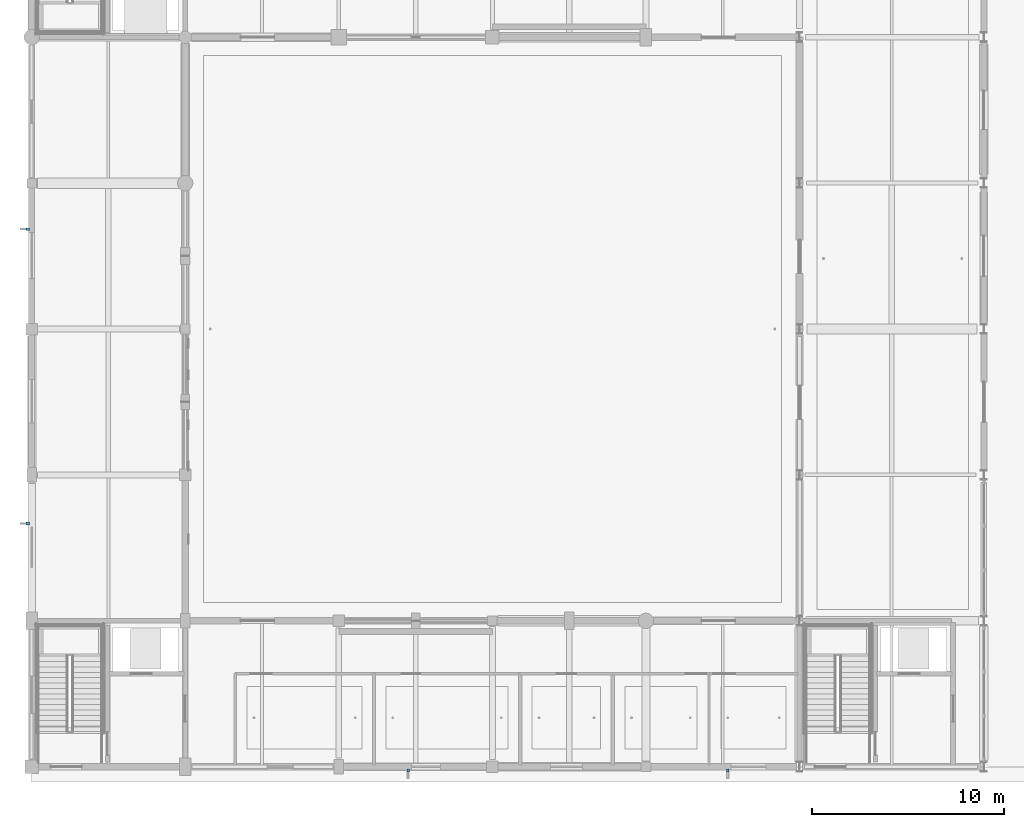
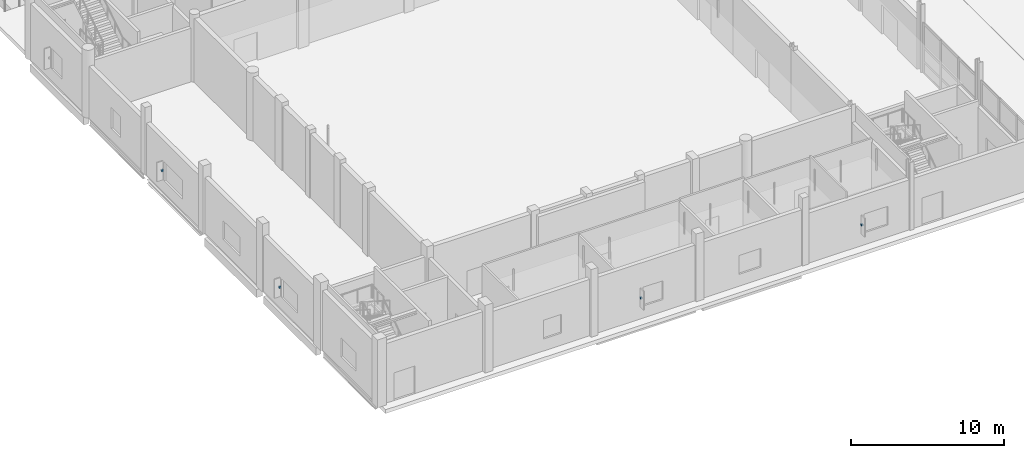
# One storey, part 101 of 126: 4 discrete accessories.
"""IFC4 building model written with IfcOpenShell, lengths in metres."""

from ifc_helpers import new_model, si_unit, direction, frame, origin, origin_2d, place, context, subcontext, project, spatial, rectangle, extrude, material, type_object, element, save


model = new_model("IFC4")

# Units and contexts
model_context = context("Model", 3, precision=1e-05, world=origin(), true_north=direction((0.0, 1.0)))
body_context = subcontext(model_context, "Body", "Model", "MODEL_VIEW")
ifc_project = project(units=[si_unit("LENGTHUNIT", "METRE"), si_unit("AREAUNIT", "SQUARE_METRE"), si_unit("VOLUMEUNIT", "CUBIC_METRE"), si_unit("PLANEANGLEUNIT", "RADIAN"), si_unit("MASSUNIT", "GRAM", prefix="KILO")], contexts=[model_context])

# Site, building, storey
site_placement = place(None, origin())
site = spatial("IfcSite", under=ifc_project, at=site_placement, CompositionType="ELEMENT")
building_placement = place(site_placement, origin())
building = spatial("IfcBuilding", under=site, at=building_placement, Name="Khelvaren Railside Concert Hall", CompositionType="ELEMENT")
storey_placement = place(building_placement, origin())
storey = spatial("IfcBuildingStorey", under=building, at=storey_placement, Name="L00", CompositionType="ELEMENT", Elevation=0.0)

# Discrete accessories
ifc_material = material(Name="Architectural stainless steel Grade 316", Category="steel")
discrete_accessory_type = type_object("IfcDiscreteAccessoryType", Name="BRK87", PredefinedType="BRACKET", material=ifc_material)
for number, where, z_axis, x_axis, name in (
    (1, (19.613525390625, -0.199951171875, 1.6298828125), (0.0, 0.0, 1.0), (-1.0, 0.0, 0.0), "Solar Fin Bracket EW-V1-L00-S-16"),
    (2, (36.260009765625, -0.199951171875, 1.6298828125), (0.0, 0.0, 1.0), (-1.0, 0.0, 0.0), "Solar Fin Bracket EW-V1-L00-S-32"),
    (3, (-0.199951171875, 12.66748046875, 1.6298828125), (0.0, 0.0, 1.0), (0.0, 1.0, 0.0), "Solar Fin Bracket EW-V1-L00-W-8"),
    (4, (-0.199951171875, 28.0048828125, 1.6298828125), (0.0, 0.0, 1.0), (0.0, 1.0, 0.0), "Solar Fin Bracket EW-V1-L00-W-23"),
):
    element("IfcDiscreteAccessory", number, at=place(storey_placement, frame(where, z_axis=z_axis, x_axis=x_axis)), inside=storey, type_object=discrete_accessory_type, Name=name, PredefinedType="BRACKET", context=body_context, shape_type="SweptSolid", body=[
        extrude(rectangle(XDim=0.139892578125, YDim=0.159912109375, at=origin_2d()), origin(), (0.0, 0.0, 1.0), 0.139892578125),
    ])

save(model, "model.ifc")
